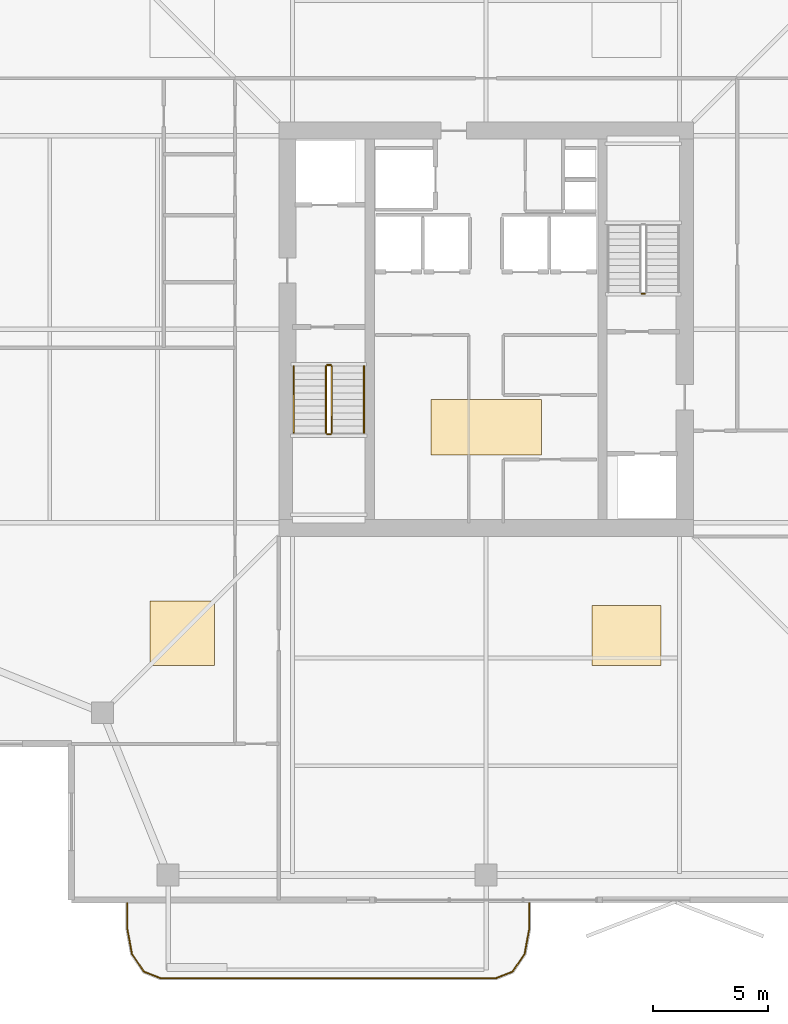
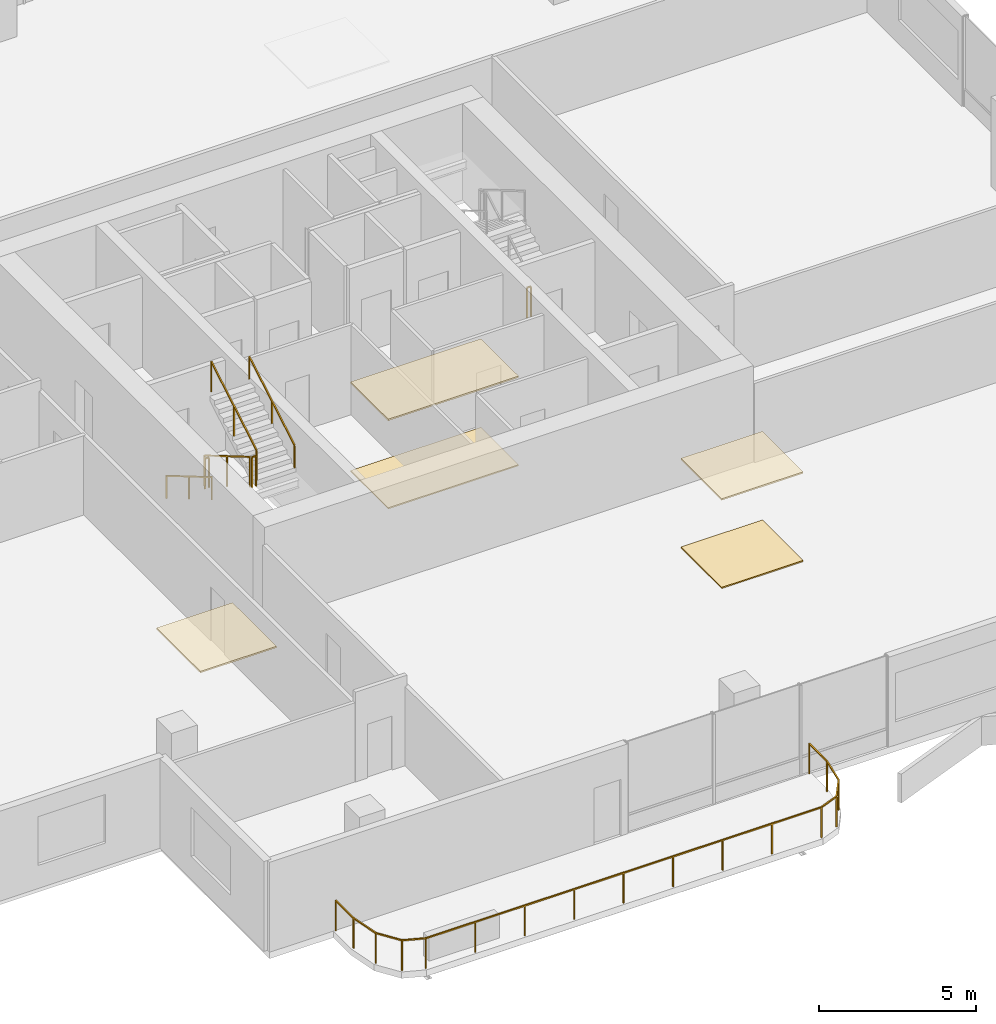
# One storey, part 21 of 23: 8 railings, 5 coverings.
"""IFC4 building model written with IfcOpenShell, lengths in metres."""

from ifc_helpers import new_model, si_unit, direction, frame, origin, origin_2d, place, context, subcontext, project, spatial, polyline, rectangle, outline, extrude, material, layer, layer_set, type_object, element, save


model = new_model("IFC4")

# Units and contexts
model_context = context("Model", 3, precision=1e-05, world=origin(), true_north=direction((0.0, 1.0)))
body_context = subcontext(model_context, "Body", "Model", "MODEL_VIEW")
ifc_project = project(units=[si_unit("LENGTHUNIT", "METRE"), si_unit("AREAUNIT", "SQUARE_METRE"), si_unit("VOLUMEUNIT", "CUBIC_METRE"), si_unit("PLANEANGLEUNIT", "RADIAN"), si_unit("MASSUNIT", "GRAM", prefix="KILO")], contexts=[model_context])

# Site, building, storey
site_placement = place(None, origin())
site = spatial("IfcSite", under=ifc_project, at=site_placement, CompositionType="ELEMENT")
building_placement = place(site_placement, origin())
building = spatial("IfcBuilding", under=site, at=building_placement, Name="Belovzor Exchange Tower", CompositionType="ELEMENT")
storey_placement = place(building_placement, frame((0.0, 0.0, 276.60009765625)))
storey = spatial("IfcBuildingStorey", under=building, at=storey_placement, Name="L69", CompositionType="ELEMENT", Elevation=276.60009765625)

# Railings
ifc_material_1 = material(Name="Stainless Steel Grade 304", Category="steel")
railing_type_1 = type_object("IfcRailingType", Name="Brushed Stainless Steel Stair Handrail 900", PredefinedType="HANDRAIL", material=ifc_material_1)
railing_1_placement = place(storey_placement, frame((20.449951171875, 27.199951171875, 0.17041015625)))
element("IfcRailing", 1, at=railing_1_placement, inside=storey, type_object=railing_type_1, Name="L69 ST-1 stair handrail 1", PredefinedType="HANDRAIL", context=body_context, shape_type="SweptSolid", body=[
    extrude(rectangle(XDim=0.048095703125, YDim=0.048095703125, at=origin_2d()), frame((0.0, 0.0, 0.8759765625), z_axis=(0.0, -0.86209462966, 0.506747323142), x_axis=(1.0, 0.0, 0.0)), (0.0, 0.0, 1.0), 3.36376953125),
    extrude(rectangle(XDim=0.0419921875, YDim=0.0419921875, at=origin_2d()), origin(), (0.0, 0.0, 1.0), 0.851806640625),
    extrude(rectangle(XDim=0.0419921875, YDim=0.0419921875, at=origin_2d()), frame((0.0, -1.449951171875, 0.852294921875)), (0.0, 0.0, 1.0), 0.851806640625),
    extrude(rectangle(XDim=0.0419921875, YDim=0.0419921875, at=origin_2d()), frame((0.0, -2.89990234375, 1.70458984375)), (0.0, 0.0, 1.0), 0.851806640625),
])
railing_2_placement = place(storey_placement, frame((23.5, 24.300048828125, 2.04541015625)))
element("IfcRailing", 2, at=railing_2_placement, inside=storey, type_object=railing_type_1, Name="L69 ST-1 stair handrail 2", PredefinedType="HANDRAIL", context=body_context, shape_type="SweptSolid", body=[
    extrude(rectangle(XDim=0.048095703125, YDim=0.048095703125, at=origin_2d()), frame((0.0, 0.0, 0.8759765625), z_axis=(0.0, 0.86209462966, 0.506747323142), x_axis=(-1.0, 0.0, 0.0)), (0.0, 0.0, 1.0), 3.36376953125),
    extrude(rectangle(XDim=0.0419921875, YDim=0.0419921875, at=origin_2d()), origin(), (0.0, 0.0, 1.0), 0.851806640625),
    extrude(rectangle(XDim=0.0419921875, YDim=0.0419921875, at=origin_2d()), frame((0.0, 1.449951171875, 0.852294921875)), (0.0, 0.0, 1.0), 0.851806640625),
    extrude(rectangle(XDim=0.0419921875, YDim=0.0419921875, at=origin_2d()), frame((0.0, 2.89990234375, 1.70458984375)), (0.0, 0.0, 1.0), 0.851806640625),
])
ifc_material_2 = material(Name="Stainless Steel and Laminated Safety Glass", Category="steel")
railing_type_2 = type_object("IfcRailingType", Name="Laminated Glass & Stainless Steel Balcony Balustrade 1200", PredefinedType="BALUSTRADE", material=ifc_material_2)
railing_3_placement = place(storey_placement, frame((13.22998046875, 3.889892578125, 0.0)))
element("IfcRailing", 3, at=railing_3_placement, inside=storey, type_object=railing_type_2, Name="GR-1 Balcony Balustrade L69 South", PredefinedType="BALUSTRADE", context=body_context, shape_type="SweptSolid", body=[
    extrude(rectangle(XDim=0.048095703125, YDim=0.048095703125, at=origin_2d()), frame((0.0, 0.0, 1.17578125), z_axis=(0.0, -1.0, 0.0), x_axis=(1.0, 0.0, 0.0)), (0.0, 0.0, 1.0), 1.1328125),
    extrude(rectangle(XDim=0.048095703125, YDim=0.048095703125, at=origin_2d()), frame((0.0, -1.1328125, 1.17578125), z_axis=(0.180083182347, -0.983651385113, 0.0), x_axis=(0.983651385113, 0.180083182347, 0.0)), (0.0, 0.0, 1.0), 1.093994140625),
    extrude(rectangle(XDim=0.048095703125, YDim=0.048095703125, at=origin_2d()), frame((0.197021484375, -2.208984375, 1.17578125), z_axis=(0.562768145367, -0.826614792125, 0.0), x_axis=(0.826614792125, 0.562768145367, 0.0)), (0.0, 0.0, 1.0), 0.9326171875),
    extrude(rectangle(XDim=0.048095703125, YDim=0.048095703125, at=origin_2d()), frame((0.721923828125, -2.97998046875, 1.17578125), z_axis=(0.930809580156, -0.365504480807, 0.0), x_axis=(0.365504480807, 0.930809580156, 0.0)), (0.0, 0.0, 1.0), 0.76611328125),
    extrude(rectangle(XDim=0.048095703125, YDim=0.048095703125, at=origin_2d()), frame((1.43505859375, -3.260009765625, 1.17578125), z_axis=(1.0, 0.0, 0.0), x_axis=(0.0, 1.0, 0.0)), (0.0, 0.0, 1.0), 14.570068359375),
    extrude(rectangle(XDim=0.048095703125, YDim=0.048095703125, at=origin_2d()), frame((16.005126953125, -3.260009765625, 1.17578125), z_axis=(0.930766990125, 0.365612923861, 0.0), x_axis=(-0.365612923861, 0.930766990125, 0.0)), (0.0, 0.0, 1.0), 0.765869140625),
    extrude(rectangle(XDim=0.048095703125, YDim=0.048095703125, at=origin_2d()), frame((16.718017578125, -2.97998046875, 1.17578125), z_axis=(0.562768145367, 0.826614792125, 0.0), x_axis=(-0.826614792125, 0.562768145367, 0.0)), (0.0, 0.0, 1.0), 0.9326171875),
    extrude(rectangle(XDim=0.048095703125, YDim=0.048095703125, at=origin_2d()), frame((17.242919921875, -2.208984375, 1.17578125), z_axis=(0.180083182347, 0.983651385113, 0.0), x_axis=(-0.983651385113, 0.180083182347, 0.0)), (0.0, 0.0, 1.0), 1.093994140625),
    extrude(rectangle(XDim=0.048095703125, YDim=0.048095703125, at=origin_2d()), frame((17.43994140625, -1.1328125, 1.17578125), z_axis=(0.0, 1.0, 0.0), x_axis=(-1.0, 0.0, 0.0)), (0.0, 0.0, 1.0), 1.1328125),
    extrude(rectangle(XDim=0.0419921875, YDim=0.0419921875, at=origin_2d()), origin(), (0.0, 0.0, 1.0), 1.15185546875),
    extrude(rectangle(XDim=0.0419921875, YDim=0.0419921875, at=origin_2d()), frame((0.0, -1.1328125, 0.0)), (0.0, 0.0, 1.0), 1.15185546875),
    extrude(rectangle(XDim=0.0419921875, YDim=0.0419921875, at=origin_2d()), frame((0.197021484375, -2.208984375, 0.0)), (0.0, 0.0, 1.0), 1.15185546875),
    extrude(rectangle(XDim=0.0419921875, YDim=0.0419921875, at=origin_2d()), frame((0.721923828125, -2.97998046875, 0.0)), (0.0, 0.0, 1.0), 1.15185546875),
    extrude(rectangle(XDim=0.0419921875, YDim=0.0419921875, at=origin_2d()), frame((1.43505859375, -3.260009765625, 0.0)), (0.0, 0.0, 1.0), 1.15185546875),
    extrude(rectangle(XDim=0.0419921875, YDim=0.0419921875, at=origin_2d()), frame((3.25634765625, -3.260009765625, 0.0)), (0.0, 0.0, 1.0), 1.15185546875),
    extrude(rectangle(XDim=0.0419921875, YDim=0.0419921875, at=origin_2d()), frame((5.07763671875, -3.260009765625, 0.0)), (0.0, 0.0, 1.0), 1.15185546875),
    extrude(rectangle(XDim=0.0419921875, YDim=0.0419921875, at=origin_2d()), frame((6.89892578125, -3.260009765625, 0.0)), (0.0, 0.0, 1.0), 1.15185546875),
    extrude(rectangle(XDim=0.0419921875, YDim=0.0419921875, at=origin_2d()), frame((8.72021484375, -3.260009765625, 0.0)), (0.0, 0.0, 1.0), 1.15185546875),
    extrude(rectangle(XDim=0.0419921875, YDim=0.0419921875, at=origin_2d()), frame((10.541259765625, -3.260009765625, 0.0)), (0.0, 0.0, 1.0), 1.15185546875),
    extrude(rectangle(XDim=0.0419921875, YDim=0.0419921875, at=origin_2d()), frame((12.362548828125, -3.260009765625, 0.0)), (0.0, 0.0, 1.0), 1.15185546875),
    extrude(rectangle(XDim=0.0419921875, YDim=0.0419921875, at=origin_2d()), frame((14.183837890625, -3.260009765625, 0.0)), (0.0, 0.0, 1.0), 1.15185546875),
    extrude(rectangle(XDim=0.0419921875, YDim=0.0419921875, at=origin_2d()), frame((16.005126953125, -3.260009765625, 0.0)), (0.0, 0.0, 1.0), 1.15185546875),
    extrude(rectangle(XDim=0.0419921875, YDim=0.0419921875, at=origin_2d()), frame((16.718017578125, -2.97998046875, 0.0)), (0.0, 0.0, 1.0), 1.15185546875),
    extrude(rectangle(XDim=0.0419921875, YDim=0.0419921875, at=origin_2d()), frame((17.242919921875, -2.208984375, 0.0)), (0.0, 0.0, 1.0), 1.15185546875),
    extrude(rectangle(XDim=0.0419921875, YDim=0.0419921875, at=origin_2d()), frame((17.43994140625, -1.1328125, 0.0)), (0.0, 0.0, 1.0), 1.15185546875),
    extrude(rectangle(XDim=0.0419921875, YDim=0.0419921875, at=origin_2d()), frame((17.43994140625, 0.0, 0.0)), (0.0, 0.0, 1.0), 1.15185546875),
])
ifc_material_3 = material(Name="Steel S355", Category="steel")
railing_type_3 = type_object("IfcRailingType", Name="Painted Steel Stairwell Guardrail 1200", PredefinedType="GUARDRAIL", material=ifc_material_3)
railing_4_placement = place(storey_placement, frame((21.85009765625, 27.199951171875, 0.17041015625)))
element("IfcRailing", 4, at=railing_4_placement, inside=storey, type_object=railing_type_3, Name="L69 ST-1 stair guard 1", PredefinedType="GUARDRAIL", context=body_context, shape_type="SweptSolid", body=[
    extrude(rectangle(XDim=0.048095703125, YDim=0.048095703125, at=origin_2d()), frame((0.0, 0.0, 1.17578125), z_axis=(0.0, -0.86209462966, 0.506747323142), x_axis=(1.0, 0.0, 0.0)), (0.0, 0.0, 1.0), 3.36376953125),
    extrude(rectangle(XDim=0.0419921875, YDim=0.0419921875, at=origin_2d()), origin(), (0.0, 0.0, 1.0), 1.15185546875),
    extrude(rectangle(XDim=0.0419921875, YDim=0.0419921875, at=origin_2d()), frame((0.0, -1.449951171875, 0.852294921875)), (0.0, 0.0, 1.0), 1.15185546875),
    extrude(rectangle(XDim=0.0419921875, YDim=0.0419921875, at=origin_2d()), frame((0.0, -2.89990234375, 1.70458984375)), (0.0, 0.0, 1.0), 1.15185546875),
])
railing_5_placement = place(storey_placement, frame((21.89990234375, 24.25, 1.875)))
element("IfcRailing", 5, at=railing_5_placement, inside=storey, type_object=railing_type_3, Name="L69 ST-1 stair guard 2", PredefinedType="GUARDRAIL", context=body_context, shape_type="SweptSolid", body=[
    extrude(rectangle(XDim=0.048095703125, YDim=0.048095703125, at=origin_2d()), frame((0.0, 0.0, 1.17578125), z_axis=(1.0, 0.0, 0.0), x_axis=(0.0, 1.0, 0.0)), (0.0, 0.0, 1.0), 0.150146484375),
    extrude(rectangle(XDim=0.0419921875, YDim=0.0419921875, at=origin_2d()), origin(), (0.0, 0.0, 1.0), 1.15185546875),
    extrude(rectangle(XDim=0.0419921875, YDim=0.0419921875, at=origin_2d()), frame((0.150146484375, 0.0, 0.0)), (0.0, 0.0, 1.0), 1.15185546875),
])
railing_6_placement = place(storey_placement, frame((22.10009765625, 24.300048828125, 2.04541015625)))
element("IfcRailing", 6, at=railing_6_placement, inside=storey, type_object=railing_type_3, Name="L69 ST-1 stair guard 3", PredefinedType="GUARDRAIL", context=body_context, shape_type="SweptSolid", body=[
    extrude(rectangle(XDim=0.048095703125, YDim=0.048095703125, at=origin_2d()), frame((0.0, 0.0, 1.17578125), z_axis=(0.0, 0.86209462966, 0.506747323142), x_axis=(-1.0, 0.0, 0.0)), (0.0, 0.0, 1.0), 3.36376953125),
    extrude(rectangle(XDim=0.0419921875, YDim=0.0419921875, at=origin_2d()), origin(), (0.0, 0.0, 1.0), 1.15185546875),
    extrude(rectangle(XDim=0.0419921875, YDim=0.0419921875, at=origin_2d()), frame((0.0, 1.449951171875, 0.852294921875)), (0.0, 0.0, 1.0), 1.15185546875),
    extrude(rectangle(XDim=0.0419921875, YDim=0.0419921875, at=origin_2d()), frame((0.0, 2.89990234375, 1.70458984375)), (0.0, 0.0, 1.0), 1.15185546875),
])
railing_7_placement = place(storey_placement, frame((21.89990234375, 27.25, 0.0)))
element("IfcRailing", 7, at=railing_7_placement, inside=storey, type_object=railing_type_3, Name="L69 ST-1 stair guard 4", PredefinedType="GUARDRAIL", context=body_context, shape_type="SweptSolid", body=[
    extrude(rectangle(XDim=0.048095703125, YDim=0.048095703125, at=origin_2d()), frame((0.0, 0.0, 1.17578125), z_axis=(1.0, 0.0, 0.0), x_axis=(0.0, 1.0, 0.0)), (0.0, 0.0, 1.0), 0.150146484375),
    extrude(rectangle(XDim=0.0419921875, YDim=0.0419921875, at=origin_2d()), origin(), (0.0, 0.0, 1.0), 1.15185546875),
    extrude(rectangle(XDim=0.0419921875, YDim=0.0419921875, at=origin_2d()), frame((0.150146484375, 0.0, 0.0)), (0.0, 0.0, 1.0), 1.15185546875),
])
railing_8_placement = place(storey_placement, frame((35.699951171875, 30.35009765625, 0.0)))
element("IfcRailing", 8, at=railing_8_placement, inside=storey, type_object=railing_type_3, Name="L69 ST-2 stair guard 4", PredefinedType="GUARDRAIL", context=body_context, shape_type="SweptSolid", body=[
    extrude(rectangle(XDim=0.048095703125, YDim=0.048095703125, at=origin_2d()), frame((0.0, 0.0, 1.17578125), z_axis=(-1.0, 0.0, 0.0), x_axis=(0.0, -1.0, 0.0)), (0.0, 0.0, 1.0), 0.14990234375),
    extrude(rectangle(XDim=0.0419921875, YDim=0.0419921875, at=origin_2d()), origin(), (0.0, 0.0, 1.0), 1.15185546875),
    extrude(rectangle(XDim=0.0419921875, YDim=0.0419921875, at=origin_2d()), frame((-0.14990234375, 0.0, 0.0)), (0.0, 0.0, 1.0), 1.15185546875),
])

# Coverings
ifc_material_4 = material(Name="Perforated Powder-Coated Aluminium", Category="aluminium")
ifc_layer_1 = layer(ifc_material_4, 0.06005859375)
ifc_layer_set_1 = layer_set([ifc_layer_1], Name="Perforated Powder-Coated Aluminium")
covering_type_1 = type_object("IfcCoveringType", Name="Perforated Acoustic Metal Tile Suspended Ceiling 60", PredefinedType="CEILING", material=ifc_layer_set_1)
covering_1_placement = place(storey_placement, frame((0.0, 0.0, 3.43994140625)))
element("IfcCovering", 9, at=covering_1_placement, inside=storey, type_object=covering_type_1, Name="CLG-AC60 Suspended Ceiling CLG-L69-LOB", PredefinedType="CEILING", context=body_context, shape_type="SweptSolid", body=[
    extrude(outline(polyline([(26.39990234375, 23.35009765625), (31.199951171875, 23.35009765625), (31.199951171875, 25.75), (26.39990234375, 25.75), (26.39990234375, 23.35009765625)])), origin(), (0.0, 0.0, 1.0), 0.06005859375),
])
covering_2_placement = place(storey_placement, frame((0.0, 0.0, 3.43994140625)))
element("IfcCovering", 10, at=covering_2_placement, inside=storey, type_object=covering_type_1, Name="CLG-AC60 Suspended Ceiling CLG-L69-Z0", PredefinedType="CEILING", context=body_context, shape_type="SweptSolid", body=[
    extrude(outline(polyline([(14.199951171875, 14.199951171875), (17.0, 14.199951171875), (17.0, 17.0), (14.199951171875, 17.0), (14.199951171875, 14.199951171875)])), origin(), (0.0, 0.0, 1.0), 0.06005859375),
])
covering_3_placement = place(storey_placement, frame((0.0, 0.0, 3.43994140625)))
element("IfcCovering", 11, at=covering_3_placement, inside=storey, type_object=covering_type_1, Name="CLG-AC60 Suspended Ceiling CLG-L69-Z1", PredefinedType="CEILING", context=body_context, shape_type="SweptSolid", body=[
    extrude(outline(polyline([(33.39990234375, 14.199951171875), (36.39990234375, 14.199951171875), (36.39990234375, 16.800048828125), (33.39990234375, 16.800048828125), (33.39990234375, 14.199951171875)])), origin(), (0.0, 0.0, 1.0), 0.06005859375),
])
ifc_material_5 = material(Name="Polished Natural Granite Tile", Category="masonry")
ifc_layer_2 = layer(ifc_material_5, 0.050048828125)
ifc_layer_set_2 = layer_set([ifc_layer_2], Name="Polished Natural Granite Tile")
covering_type_2 = type_object("IfcCoveringType", Name="Polished Karelian Granite & Raised Access Floor Finish 50", PredefinedType="FLOORING", material=ifc_layer_set_2)
covering_4_placement = place(storey_placement, origin())
element("IfcCovering", 12, at=covering_4_placement, inside=storey, type_object=covering_type_2, Name="FLR-GR50 Floor Finish FLR-L69-LOB", PredefinedType="FLOORING", context=body_context, shape_type="SweptSolid", body=[
    extrude(outline(polyline([(26.39990234375, 23.35009765625), (31.199951171875, 23.35009765625), (31.199951171875, 25.75), (26.39990234375, 25.75), (26.39990234375, 23.35009765625)])), origin(), (0.0, 0.0, 1.0), 0.0498046875),
])
covering_5_placement = place(storey_placement, origin())
element("IfcCovering", 13, at=covering_5_placement, inside=storey, type_object=covering_type_2, Name="FLR-GR50 Floor Finish FLR-L69-Z1", PredefinedType="FLOORING", context=body_context, shape_type="SweptSolid", body=[
    extrude(outline(polyline([(33.39990234375, 14.199951171875), (36.39990234375, 14.199951171875), (36.39990234375, 16.800048828125), (33.39990234375, 16.800048828125), (33.39990234375, 14.199951171875)])), origin(), (0.0, 0.0, 1.0), 0.0498046875),
])

save(model, "model.ifc")
